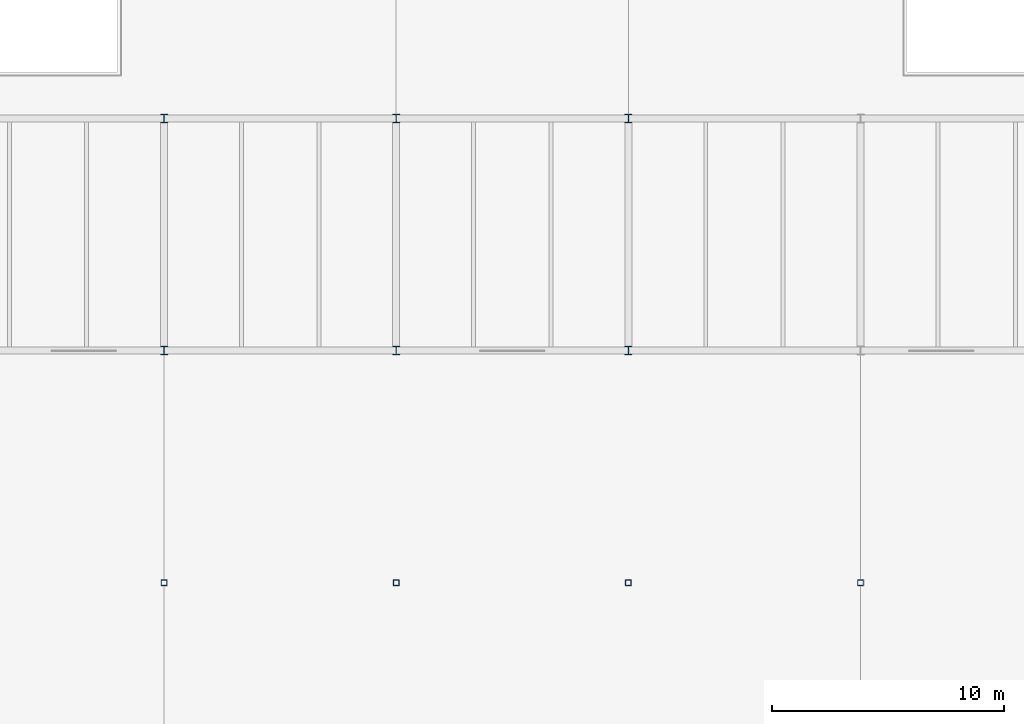
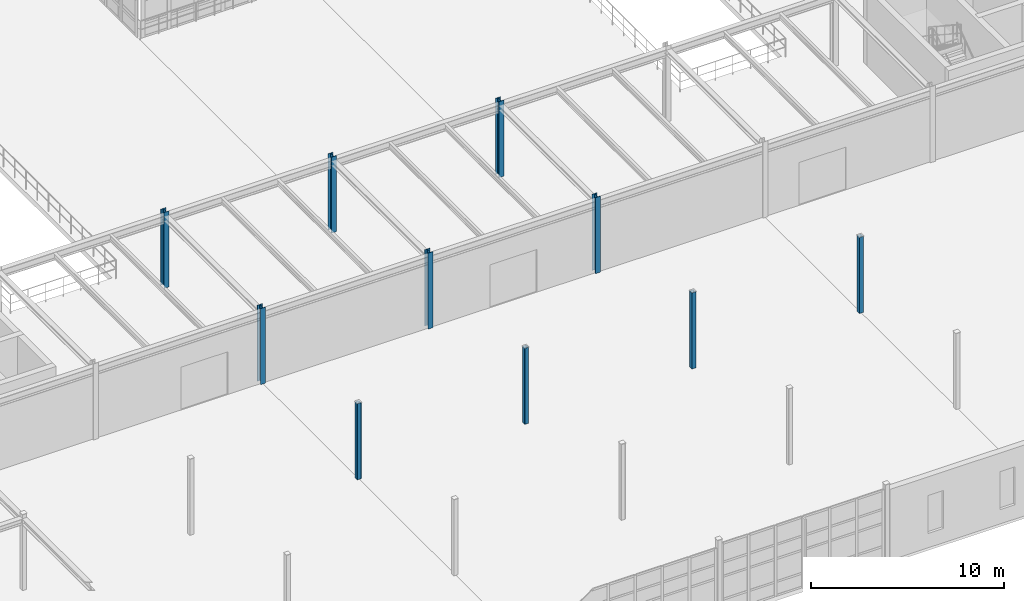
# One storey, part 9 of 139: 10 columns.
"""IFC4 building model written with IfcOpenShell, lengths in metres."""

import ifcopenshell
import ifcopenshell.guid

model = None  # the IFC model being written
_history = None  # IfcOwnerHistory: only IFC2X3 demands one
_inside = {}  # id of a spatial element -> (the spatial element, [elements in it])
_under = {}  # id of a project, library or spatial element -> (it, [spatial elements below it])
_declared = {}  # id of a project -> (the project, [libraries it declares])
_typed = {}  # id of a type object -> (the type object, [elements of that type])
_made_of = {}  # id of a material, layer set ... -> (it, [elements and type objects made of it])


def new_model(schema):
    """Start an empty IFC model of exactly this schema.

    Asked for "IFC4X3", IfcOpenShell would pick the latest addendum, in which some entities
    have other attributes; the version numbers below select the first issue.
    IFC2X3 requires an IfcOwnerHistory on every rooted entity: one is made here for all.
    """
    global model, _history
    if schema == "IFC4X3":
        model = ifcopenshell.file(schema_version=(4, 3, 0, 0))
    else:
        model = ifcopenshell.file(schema=schema)
    _inside.clear()
    _under.clear()
    _declared.clear()
    _typed.clear()
    _made_of.clear()
    _history = None
    if model.schema == "IFC2X3":
        org = make("IfcOrganization", Name="unknown")
        user = make(
            "IfcPersonAndOrganization",
            ThePerson=make("IfcPerson", FamilyName="unknown"),
            TheOrganization=org,
        )
        app = make(
            "IfcApplication",
            ApplicationDeveloper=org,
            Version="unknown",
            ApplicationFullName="unknown",
            ApplicationIdentifier="unknown",
        )
        _history = make(
            "IfcOwnerHistory",
            OwningUser=user,
            OwningApplication=app,
            ChangeAction="ADDED",
            CreationDate=0,
        )
    return model


def make(cls, **values):
    """One entity of the class cls with the attributes given. An attribute that is None is left unset."""
    return model.create_entity(
        cls, **{name: value for name, value in values.items() if value is not None}
    )


def rooted(cls, **values):
    """An entity with a GlobalId (a new one), such as an element, a storey or a relation."""
    return make(cls, GlobalId=ifcopenshell.guid.new(), OwnerHistory=_history, **values)


def si_unit(unit_type, name, prefix=None):
    """IfcSIUnit, for example si_unit("LENGTHUNIT", "METRE", prefix="MILLI")."""
    return make("IfcSIUnit", UnitType=unit_type, Prefix=prefix, Name=name)


def assignment(units):
    """IfcUnitAssignment: the units of a project."""
    return None if units is None else make("IfcUnitAssignment", Units=units)


def point(xyz):
    """IfcCartesianPoint."""
    return None if xyz is None else make("IfcCartesianPoint", Coordinates=xyz)


def direction(xyz):
    """IfcDirection."""
    return None if xyz is None else make("IfcDirection", DirectionRatios=xyz)


def frame(location, z_axis=None, x_axis=None):
    """IfcAxis2Placement3D, a coordinate frame: its origin and axes. An axis left out is left unset."""
    return make(
        "IfcAxis2Placement3D",
        Location=point(location),
        Axis=direction(z_axis),
        RefDirection=direction(x_axis),
    )


def frame_2d(location, x_axis=None):
    """IfcAxis2Placement2D, a coordinate frame in the plane: its origin and x axis."""
    return make(
        "IfcAxis2Placement2D", Location=point(location), RefDirection=direction(x_axis)
    )


def origin():
    """The frame at (0, 0, 0) with its axes left unset."""
    return frame((0.0, 0.0, 0.0))


def origin_2d():
    """The frame at (0, 0) in the plane with its x axis left unset."""
    return frame_2d((0.0, 0.0))


def place(relative_to, where):
    """IfcLocalPlacement: puts the frame where relative to a parent placement (None: the world)."""
    return make(
        "IfcLocalPlacement", PlacementRelTo=relative_to, RelativePlacement=where
    )


def context(
    kind, dimensions, precision=None, world=None, true_north=None, identifier=None
):
    """IfcGeometricRepresentationContext, for example the 3D "Model" context."""
    return make(
        "IfcGeometricRepresentationContext",
        ContextIdentifier=identifier,
        ContextType=kind,
        CoordinateSpaceDimension=dimensions,
        Precision=precision,
        WorldCoordinateSystem=world,
        TrueNorth=true_north,
    )


def subcontext(parent, identifier, kind, view, scale=None):
    """IfcGeometricRepresentationSubContext, for example "Body" below "Model"."""
    return make(
        "IfcGeometricRepresentationSubContext",
        ContextIdentifier=identifier,
        ContextType=kind,
        ParentContext=parent,
        TargetScale=scale,
        TargetView=view,
    )


def project(units=None, contexts=None):
    """IfcProject with its units and contexts."""
    return rooted(
        "IfcProject",
        Name="project",
        RepresentationContexts=contexts,
        UnitsInContext=assignment(units),
    )


def spatial(cls, under=None, at=None, **own):
    """A site, building, storey or space (cls), placed at a placement, below another one or the project."""
    s = rooted(cls, ObjectPlacement=at, **own)
    if under is not None:
        _under.setdefault(under.id(), (under, []))[1].append(s)
    return s


def profile(cls, at=None, kind="AREA", **sizes):
    """A parametric profile (cls). Its sizes go by their IFC names, for example OverallWidth=200.0."""
    return make(cls, ProfileType=kind, Position=at, **sizes)


def hollow_rectangle(**sizes):
    """IfcRectangleHollowProfileDef."""
    return profile("IfcRectangleHollowProfileDef", **sizes)


def i_section(**sizes):
    """IfcIShapeProfileDef."""
    return profile("IfcIShapeProfileDef", **sizes)


def extrude(swept, where, along, depth):
    """IfcExtrudedAreaSolid: the profile swept, set in the frame where, extruded along a direction by depth."""
    return make(
        "IfcExtrudedAreaSolid",
        SweptArea=swept,
        Position=where,
        ExtrudedDirection=direction(along),
        Depth=depth,
    )


def shape(context_of_items, identifier, shape_type, items):
    """IfcShapeRepresentation: the items that make up one representation, for example the "Body"."""
    return make(
        "IfcShapeRepresentation",
        ContextOfItems=context_of_items,
        RepresentationIdentifier=identifier,
        RepresentationType=shape_type,
        Items=items,
    )


def material(Name=None, Category=None):
    """IfcMaterial."""
    return make("IfcMaterial", Name=Name, Category=Category)


def material_profile(
    of_material, cross_section, Name=None, Category=None, Priority=None
):
    """IfcMaterialProfile: a cross section and its material."""
    return make(
        "IfcMaterialProfile",
        Name=Name,
        Material=of_material,
        Profile=cross_section,
        Priority=Priority,
        Category=Category,
    )


def profile_set(profiles, Name=None, composite=None):
    """IfcMaterialProfileSet."""
    return make(
        "IfcMaterialProfileSet",
        Name=Name,
        MaterialProfiles=profiles,
        CompositeProfile=composite,
    )


def made_of(thing, what):
    """Note that an element or type object is made of a material, layer set ...; save() writes the relation."""
    if what is not None:
        _made_of.setdefault(what.id(), (what, []))[1].append(thing)
    return thing


def type_object(cls, material=None, **own):
    """A type object (cls), such as IfcWallType, which elements share."""
    return made_of(rooted(cls, **own), material)


def element(
    cls,
    number,
    at=None,
    inside=None,
    cuts=None,
    type_object=None,
    material=None,
    context=None,
    identifier="Body",
    shape_type=None,
    held_by="IfcProductDefinitionShape",
    body=None,
    shapes=None,
    **own,
):
    """One element of the class cls, such as IfcWall. Its Tag is "e" and its number.

    at: its placement. inside: the storey or other place that contains it. cuts: it is an
    opening in that element (IfcRelVoidsElement). A single representation is given by context,
    identifier, shape_type and body (its items); several are given by shapes. held_by: the class
    of the entity that holds the representations. save() writes the other relations.
    """
    e = rooted(cls, Tag="e%d" % number, ObjectPlacement=at, **own)
    if body is not None:
        shapes = [shape(context, identifier, shape_type, body)]
    if shapes is not None:
        e.Representation = make(held_by, Representations=shapes)
    if inside is not None:
        _inside.setdefault(inside.id(), (inside, []))[1].append(e)
    if cuts is not None:
        rooted(
            "IfcRelVoidsElement", RelatingBuildingElement=cuts, RelatedOpeningElement=e
        )
    if type_object is not None:
        _typed.setdefault(type_object.id(), (type_object, []))[1].append(e)
    return made_of(e, material)


def aggregate(whole, parts):
    """IfcRelAggregates: a whole, such as a stair, and the parts it consists of."""
    return rooted("IfcRelAggregates", RelatingObject=whole, RelatedObjects=parts)


def save(model, path):
    """Write the relations noted so far, then the file.

    IfcRelAggregates (storeys below a building ...), IfcRelContainedInSpatialStructure (elements
    in a storey), IfcRelDefinesByType, IfcRelAssociatesMaterial and IfcRelDeclares: one each for
    every whole, place, type object, material and project.
    """
    for whole, parts in _under.values():
        aggregate(whole, parts)
    for where, things in _inside.values():
        rooted(
            "IfcRelContainedInSpatialStructure",
            RelatedElements=things,
            RelatingStructure=where,
        )
    for kind, things in _typed.values():
        rooted("IfcRelDefinesByType", RelatedObjects=things, RelatingType=kind)
    for what, things in _made_of.values():
        rooted("IfcRelAssociatesMaterial", RelatedObjects=things, RelatingMaterial=what)
    for by, libraries in _declared.values():
        rooted("IfcRelDeclares", RelatingContext=by, RelatedDefinitions=libraries)
    model.write(path)


model = new_model("IFC4")

# Units and contexts
model_context = context("Model", 3, precision=1e-05, world=origin(), true_north=direction((0.0, 1.0)))
body_context = subcontext(model_context, "Body", "Model", "MODEL_VIEW")
ifc_project = project(units=[si_unit("LENGTHUNIT", "METRE"), si_unit("AREAUNIT", "SQUARE_METRE"), si_unit("VOLUMEUNIT", "CUBIC_METRE"), si_unit("PLANEANGLEUNIT", "RADIAN"), si_unit("MASSUNIT", "GRAM", prefix="KILO"), si_unit("THERMODYNAMICTEMPERATUREUNIT", "KELVIN"), si_unit("POWERUNIT", "WATT")], contexts=[model_context])

# Site, building, storey
site_placement = place(None, origin())
site = spatial("IfcSite", under=ifc_project, at=site_placement, CompositionType="ELEMENT")
building_placement = place(site_placement, origin())
building = spatial("IfcBuilding", under=site, at=building_placement, Name="Korenveer Ferry Terminal", CompositionType="ELEMENT")
storey_placement = place(building_placement, frame((0.0, 0.0, 5.39990234375)))
storey = spatial("IfcBuildingStorey", under=building, at=storey_placement, Name="L01", CompositionType="ELEMENT", Elevation=5.39990234375)

# Columns
ifc_material = material(Name="Steel S355", Category="steel")
ifc_material_profile_1 = material_profile(ifc_material, i_section(OverallWidth=0.300048828125, OverallDepth=0.360107421875, WebThickness=0.012451171875, FlangeThickness=0.0224609375, FilletRadius=0.027099609375, at=origin_2d()), Name="HEB 360")
ifc_profile_set_1 = profile_set([ifc_material_profile_1], Name="Steel S355")
column_type_1 = type_object("IfcColumnType", Name="STR-COL-HEB360", PredefinedType="COLUMN", material=ifc_profile_set_1)
for number, where, z_axis, x_axis, name in (
    (1, (73.0, 50.0, 0.0), (0.0, 0.0, 1.0), (1.0, 0.0, 0.0), "Column COL-L01-X73-Y50"),
    (2, (73.0, 60.0, 0.0), (0.0, 0.0, 1.0), (1.0, 0.0, 0.0), "Column COL-L01-X73-Y60"),
    (3, (83.0, 50.0, 0.0), (0.0, 0.0, 1.0), (1.0, 0.0, 0.0), "Column COL-L01-X83-Y50"),
    (4, (83.0, 60.0, 0.0), (0.0, 0.0, 1.0), (1.0, 0.0, 0.0), "Column COL-L01-X83-Y60"),
    (5, (93.0, 50.0, 0.0), (0.0, 0.0, 1.0), (1.0, 0.0, 0.0), "Column COL-L01-X93-Y50"),
    (6, (93.0, 60.0, 0.0), (0.0, 0.0, 1.0), (1.0, 0.0, 0.0), "Column COL-L01-X93-Y60"),
):
    element("IfcColumn", number, at=place(storey_placement, frame(where, z_axis=z_axis, x_axis=x_axis)), inside=storey, type_object=column_type_1, Name=name, PredefinedType="COLUMN", context=body_context, shape_type="SweptSolid", body=[
        extrude(i_section(OverallWidth=0.300048828125, OverallDepth=0.360107421875, WebThickness=0.012451171875, FlangeThickness=0.0224609375, FilletRadius=0.027099609375, at=origin_2d()), origin(), (0.0, 0.0, 1.0), 4.800048828125),
    ])
ifc_material_profile_2 = material_profile(ifc_material, hollow_rectangle(XDim=0.25, YDim=0.25, WallThickness=0.012451171875, InnerFilletRadius=0.012451171875, OuterFilletRadius=0.018798828125, at=origin_2d()), Name="SHS 250x250x12.5")
ifc_profile_set_2 = profile_set([ifc_material_profile_2], Name="Steel S355")
column_type_2 = type_object("IfcColumnType", Name="STR-COL-SHS250", PredefinedType="COLUMN", material=ifc_profile_set_2)
for number, where, z_axis, x_axis, name in (
    (7, (73.0, 40.0, 0.0), (0.0, 0.0, 1.0), (1.0, 0.0, 0.0), "Column COL-L01-X73-Y40"),
    (8, (83.0, 40.0, 0.0), (0.0, 0.0, 1.0), (1.0, 0.0, 0.0), "Column COL-L01-X83-Y40"),
    (9, (93.0, 40.0, 0.0), (0.0, 0.0, 1.0), (1.0, 0.0, 0.0), "Column COL-L01-X93-Y40"),
    (10, (103.0, 40.0, 0.0), (0.0, 0.0, 1.0), (1.0, 0.0, 0.0), "Column COL-L01-X103-Y40"),
):
    element("IfcColumn", number, at=place(storey_placement, frame(where, z_axis=z_axis, x_axis=x_axis)), inside=storey, type_object=column_type_2, Name=name, PredefinedType="COLUMN", context=body_context, shape_type="SweptSolid", body=[
        extrude(hollow_rectangle(XDim=0.25, YDim=0.25, WallThickness=0.012451171875, InnerFilletRadius=0.012451171875, OuterFilletRadius=0.018798828125, at=origin_2d()), origin(), (0.0, 0.0, 1.0), 4.800048828125),
    ])

save(model, "model.ifc")
